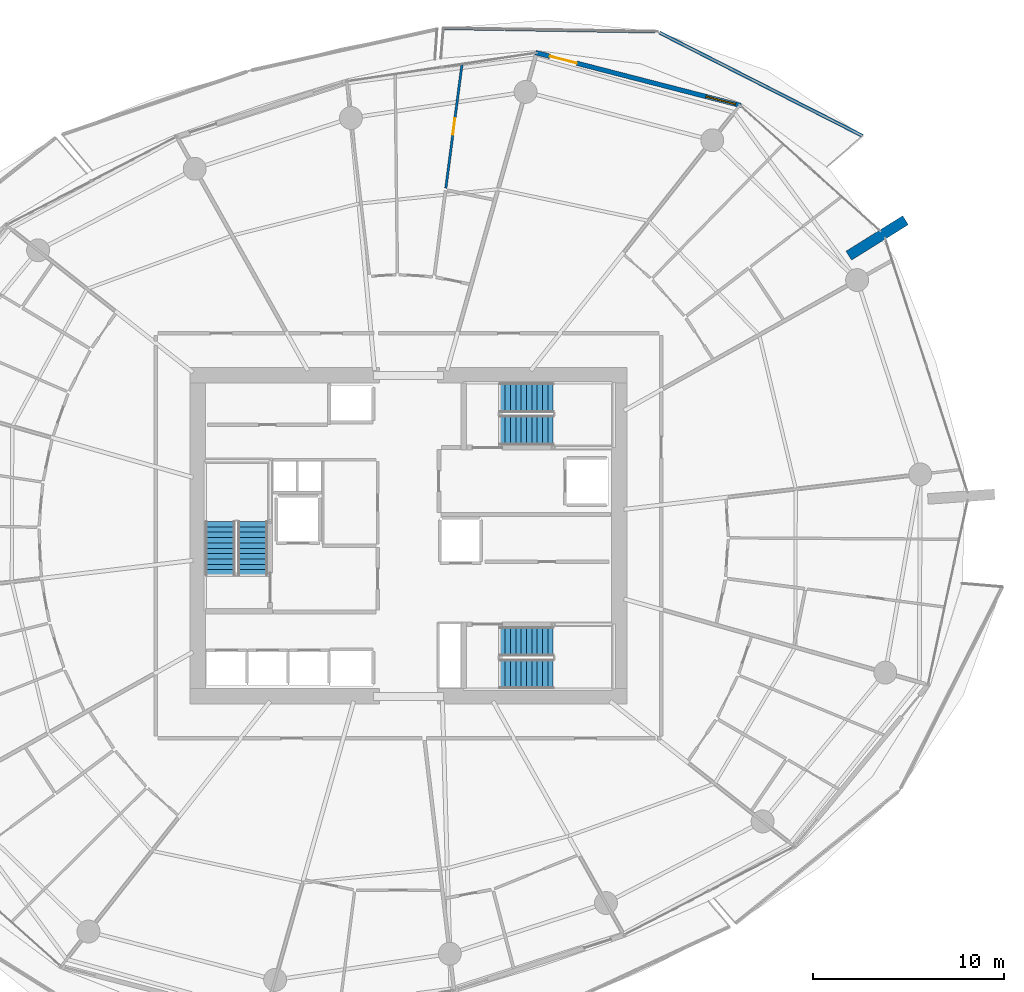
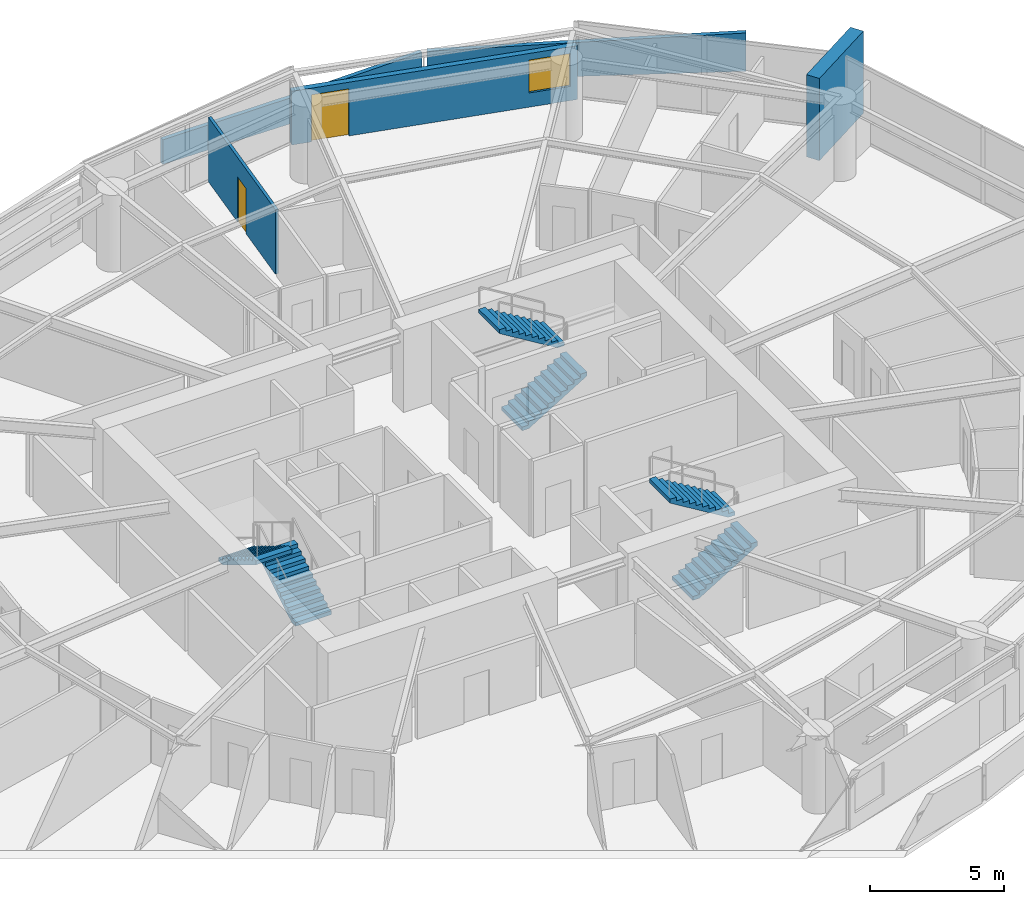
# One storey, part 16 of 23: 6 stair flights, 5 walls, 2 doors, 1 window, 3 openings, 3 elements without a shape of their own.
"""IFC4 building model written with IfcOpenShell, lengths in metres."""

from ifc_helpers import new_model, si_unit, direction, frame, frame_2d, origin, place, context, subcontext, project, spatial, polyline, rectangle, outline, extrude, material, layer, layer_set, type_object, element, fill, aggregate, save


model = new_model("IFC4")

# Units and contexts
model_context = context("Model", 3, precision=1e-05, world=origin(), true_north=direction((0.0, 1.0)))
body_context = subcontext(model_context, "Body", "Model", "MODEL_VIEW")
ifc_project = project(units=[si_unit("LENGTHUNIT", "METRE"), si_unit("AREAUNIT", "SQUARE_METRE"), si_unit("VOLUMEUNIT", "CUBIC_METRE"), si_unit("PLANEANGLEUNIT", "RADIAN"), si_unit("MASSUNIT", "GRAM", prefix="KILO")], contexts=[model_context])

# Site, building, storey
site_placement = place(None, origin())
site = spatial("IfcSite", under=ifc_project, at=site_placement, CompositionType="ELEMENT")
building_placement = place(site_placement, origin())
building = spatial("IfcBuilding", under=site, at=building_placement, Name="Kazma Halo Residences", CompositionType="ELEMENT")
storey_placement = place(building_placement, frame((0.0, 0.0, 78.89990234375)))
storey = spatial("IfcBuildingStorey", under=building, at=storey_placement, Name="L19", CompositionType="ELEMENT", Elevation=78.89990234375)

# Walls
ifc_material_1 = material(Name="White Concrete C50/60 Balustrade", Category="concrete")
ifc_layer_1 = layer(ifc_material_1, 0.179931640625)
ifc_layer_set_1 = layer_set([ifc_layer_1], Name="White Concrete C50/60 Balustrade")
wall_type_1 = type_object("IfcWallType", Name="WL-BAL-WAVE-180", PredefinedType="PARAPET", material=ifc_layer_set_1)
wall_1_placement = place(storey_placement, frame((72.20068359375, 62.92626953125, 0.0), z_axis=(0.0, 0.0, 1.0), x_axis=(-0.891327308183, 0.453360375074, 0.0)))
element("IfcWall", 1, at=wall_1_placement, inside=storey, type_object=wall_type_1, Name="L19 white wave balustrade wall NE.1", PredefinedType="PARAPET", context=body_context, shape_type="SweptSolid", body=[
    extrude(outline(polyline([(0.0, 0.0), (11.942626953125, 0.0), (11.9423828125, 1.34814453125), (5.97119140625, 1.56201171875), (0.0, 1.7470703125), (0.0, 0.0)])), frame((0.0, 0.08984375, 0.0), z_axis=(0.0, -1.0, 0.0), x_axis=(1.0, 0.0, 0.0)), (0.0, 0.0, 1.0), 0.179931640625),
])
wall_2_placement = place(storey_placement, frame((61.328857421875, 68.39697265625, 0.0), z_axis=(0.0, 0.0, 1.0), x_axis=(-0.999868376908, 0.016224329234, 0.0)))
element("IfcWall", 2, at=wall_2_placement, inside=storey, type_object=wall_type_1, Name="L19 white wave balustrade wall NE.2", PredefinedType="PARAPET", context=body_context, shape_type="SweptSolid", body=[
    extrude(outline(polyline([(0.0, 0.0), (11.0751953125, 0.0), (11.0751953125, 1.1201171875), (5.53759765625, 1.18212890625), (0.0, 1.34814453125), (0.0, 0.0)])), frame((0.0, 0.08984375, 0.0), z_axis=(0.0, -1.0, 0.0), x_axis=(1.0, 0.0, 0.0)), (0.0, 0.0, 1.0), 0.179931640625),
])
ifc_material_2 = material(Name="Pale Concrete C60/75", Category="concrete")
ifc_layer_2 = layer(ifc_material_2, 0.550048828125)
ifc_layer_set_2 = layer_set([ifc_layer_2], Name="Pale Concrete C60/75")
wall_type_2 = type_object("IfcWallType", Name="WL-BLADE-550", PredefinedType="SOLIDWALL", material=ifc_layer_set_2)
wall_3_placement = place(storey_placement, frame((71.468505859375, 56.664794921875, 0.0), z_axis=(0.0, 0.0, 1.0), x_axis=(0.848053161125, 0.529911158502, 0.0)))
element("IfcWall", 3, at=wall_3_placement, inside=storey, type_object=wall_type_2, Name="L19 pale concrete structural blade fin wall BW-01", PredefinedType="SOLIDWALL", context=body_context, shape_type="SweptSolid", body=[
    extrude(rectangle(XDim=3.5, YDim=0.550048828125, at=frame_2d((1.75, 0.0))), origin(), (0.0, 0.0, 1.0), 3.75),
])

# Wall, openings, door, window
ifc_material_3 = material(Name="Insulated Pale-Metal Composite Wall")
ifc_layer_3 = layer(ifc_material_3, 0.239990234375)
ifc_layer_set_3 = layer_set([ifc_layer_3], Name="Insulated Pale-Metal Composite Wall")
wall_type_3 = type_object("IfcWallType", Name="WL-EXT-HOST-240", PredefinedType="SOLIDWALL", material=ifc_layer_set_3)
wall_4_placement = place(storey_placement, frame((65.81396484375, 64.52294921875, 0.0), z_axis=(0.0, 0.0, 1.0), x_axis=(-0.968356180858, 0.249572248045, 0.0)))
wall_4 = element("IfcWall", 4, at=wall_4_placement, inside=storey, type_object=wall_type_3, Name="L19 exterior terrace-access wall B02", PredefinedType="SOLIDWALL", context=body_context, shape_type="SweptSolid", body=[
    extrude(rectangle(XDim=11.08447265625, YDim=0.239990234375, at=frame_2d((5.542236328125, 0.0))), origin(), (0.0, 0.0, 1.0), 2.4501953125),
])
opening_1_placement = place(wall_4_placement, frame((8.864501953125, 0.0, 0.0)))
opening_1 = element("IfcOpeningElement", 5, at=opening_1_placement, cuts=wall_4, Name="Opening DTR-1600", PredefinedType="OPENING", context=body_context, shape_type="SweptSolid", body=[
    extrude(rectangle(XDim=1.449951171875, YDim=2.14990234375, at=frame_2d((0.72509765625, 1.074951171875))), frame((0.0, 0.1298828125, 0.0), z_axis=(0.0, -1.0, 0.0), x_axis=(1.0, 0.0, 0.0)), (0.0, 0.0, 1.0), 0.260009765625),
])
opening_2_placement = place(wall_4_placement, frame((0.280029296875, 0.0, 0.64990234375)))
opening_2 = element("IfcOpeningElement", 6, at=opening_2_placement, cuts=wall_4, Name="Opening W-1800", PredefinedType="OPENING", context=body_context, shape_type="SweptSolid", body=[
    extrude(rectangle(XDim=1.60009765625, YDim=1.5, at=frame_2d((0.800048828125, 0.75))), frame((0.0, 0.1298828125, 0.0), z_axis=(0.0, -1.0, 0.0), x_axis=(1.0, 0.0, 0.0)), (0.0, 0.0, 1.0), 0.260009765625),
])
ifc_material_4 = material(Name="Aluminium AW-6063 T6 Double-Glazed Terrace Door", Category="aluminium")
door_type_1 = type_object("IfcDoorType", Name="DR-EXT-TERR-1600", OperationType="NOTDEFINED", PredefinedType="DOOR", material=ifc_material_4)
door_1_placement = place(opening_1_placement, origin())
door_1 = element("IfcDoor", 7, at=door_1_placement, inside=storey, type_object=door_type_1, Name="L19 B02 balcony terrace door", OperationType="DOUBLE_DOOR_SLIDING", OverallHeight=2.14990234375, OverallWidth=1.449951171875, PredefinedType="DOOR", context=body_context, shape_type="SweptSolid", body=[
    extrude(rectangle(XDim=1.449951171875, YDim=2.14990234375, at=frame_2d((0.72509765625, 1.074951171875))), frame((0.0, 0.02490234375, 0.0), z_axis=(0.0, -1.0, 0.0), x_axis=(1.0, 0.0, 0.0)), (0.0, 0.0, 1.0), 0.050048828125),
])
fill(opening_1, door_1)
ifc_material_5 = material(Name="Clear Triple-Silver Low-E Glass in Aluminium AW-6063 T6 Frame", Category="aluminium")
window_type = type_object("IfcWindowType", Name="WIN-RES-1800", PartitioningType="DOUBLE_PANEL_VERTICAL", PredefinedType="WINDOW", material=ifc_material_5)
window_placement = place(opening_2_placement, origin())
window = element("IfcWindow", 8, at=window_placement, inside=storey, type_object=window_type, Name="L19 B02 apartment window", OverallHeight=1.5, OverallWidth=1.60009765625, PartitioningType="SINGLE_PANEL", PredefinedType="WINDOW", context=body_context, shape_type="SweptSolid", body=[
    extrude(rectangle(XDim=1.60009765625, YDim=1.5, at=frame_2d((0.800048828125, 0.75))), frame((0.0, 0.030029296875, 0.0), z_axis=(0.0, -1.0, 0.0), x_axis=(1.0, 0.0, 0.0)), (0.0, 0.0, 1.0), 0.06005859375),
])
fill(opening_2, window)

# Wall, opening, door
ifc_material_6 = material(Name="Gypsum Plasterboard Partition")
ifc_layer_4 = layer(ifc_material_6, 0.125)
ifc_layer_set_4 = layer_set([ifc_layer_4], Name="Gypsum Plasterboard Partition")
wall_type_4 = type_object("IfcWallType", Name="WL-PART-125", PredefinedType="PARTITIONING", material=ifc_layer_set_4)
wall_5_placement = place(storey_placement, frame((50.37841796875, 60.194091796875, 0.0), z_axis=(0.0, 0.0, 1.0), x_axis=(0.129622249643, 0.991563448498, 0.0)))
wall_5 = element("IfcWall", 9, at=wall_5_placement, inside=storey, type_object=wall_type_4, Name="L19 Apartment 6 Household Store Room partition wall", PredefinedType="PARTITIONING", context=body_context, shape_type="SweptSolid", body=[
    extrude(rectangle(XDim=6.5263671875, YDim=0.125, at=frame_2d((3.26318359375, 0.0))), origin(), (0.0, 0.0, 1.0), 2.940185546875),
])
opening_3_placement = place(wall_5_placement, frame((2.838134765625, 0.0, 0.0)))
opening_3 = element("IfcOpeningElement", 10, at=opening_3_placement, cuts=wall_5, Name="Opening DB-900", PredefinedType="OPENING", context=body_context, shape_type="SweptSolid", body=[
    extrude(rectangle(XDim=0.85009765625, YDim=2.06005859375, at=frame_2d((0.425048828125, 1.030029296875))), frame((0.0, 0.072509765625, 0.0), z_axis=(0.0, -1.0, 0.0), x_axis=(1.0, 0.0, 0.0)), (0.0, 0.0, 1.0), 0.14501953125),
])
ifc_material_7 = material(Name="Moisture-Sealed Timber Leaf", Category="wood")
door_type_2 = type_object("IfcDoorType", Name="DR-BTH-900", OperationType="NOTDEFINED", PredefinedType="DOOR", material=ifc_material_7)
door_2_placement = place(opening_3_placement, origin())
door_2 = element("IfcDoor", 11, at=door_2_placement, inside=storey, type_object=door_type_2, Name="L19 Apartment 6 Household Store Room door", OperationType="SINGLE_SWING_LEFT", OverallHeight=2.06005859375, OverallWidth=0.85009765625, PredefinedType="DOOR", context=body_context, shape_type="SweptSolid", body=[
    extrude(rectangle(XDim=0.85009765625, YDim=2.06005859375, at=frame_2d((0.425048828125, 1.030029296875))), frame((0.0, 0.02490234375, 0.0), z_axis=(0.0, -1.0, 0.0), x_axis=(1.0, 0.0, 0.0)), (0.0, 0.0, 1.0), 0.050048828125),
])
fill(opening_3, door_2)

# Stair, stair flights
ifc_material_8 = material(Name="Concrete C50/60", Category="concrete")
stair_type = type_object("IfcStairType", Name="STR-RES1", PredefinedType="HALF_TURN_STAIR", material=ifc_material_8)
stair_1_placement = place(storey_placement, origin())
stair_1 = element("IfcStair", 12, at=stair_1_placement, inside=storey, type_object=stair_type, Name="L19 Core exit stair ST-01", PredefinedType="HALF_TURN_STAIR")
stair_flight_type = type_object("IfcStairFlightType", Name="STR-RES1-FLT", PredefinedType="STRAIGHT", material=ifc_material_8)
stair_flight_1_placement = place(storey_placement, frame((40.27490234375, 39.949951171875, 0.0), z_axis=(0.0, 0.0, 1.0), x_axis=(0.0, 1.0, 0.0)))
stair_flight_1 = element("IfcStairFlight", 13, at=stair_flight_1_placement, type_object=stair_flight_type, Name="ST-01 flight 1", NumberOfRisers=11, NumberOfTreads=10, PredefinedType="STRAIGHT", RiserHeight=0.170454545, TreadLength=0.28, context=body_context, shape_type="SweptSolid", body=[
    extrude(outline(polyline([(0.0, 0.0), (0.0, 0.17041015625), (0.280029296875, 0.17041015625), (0.280029296875, 0.3408203125), (0.56005859375, 0.3408203125), (0.56005859375, 0.511474609375), (0.840087890625, 0.511474609375), (0.840087890625, 0.681884765625), (1.1201171875, 0.681884765625), (1.1201171875, 0.852294921875), (1.39990234375, 0.852294921875), (1.39990234375, 1.022705078125), (1.679931640625, 1.022705078125), (1.679931640625, 1.193115234375), (1.9599609375, 1.193115234375), (1.9599609375, 1.363525390625), (2.239990234375, 1.363525390625), (2.239990234375, 1.5341796875), (2.52001953125, 1.5341796875), (2.52001953125, 1.70458984375), (2.800048828125, 1.70458984375), (2.800048828125, 1.875), (2.800048828125, 1.529052734375), (0.288330078125, 0.0), (0.0, 0.0)])), frame((0.0, 0.77490234375, 0.0), z_axis=(0.0, -1.0, 0.0), x_axis=(1.0, 0.0, 0.0)), (0.0, 0.0, 1.0), 1.550048828125),
])
stair_flight_2_placement = place(storey_placement, frame((38.574951171875, 42.75, 1.875), z_axis=(0.0, 0.0, 1.0), x_axis=(0.0, -1.0, 0.0)))
stair_flight_2 = element("IfcStairFlight", 14, at=stair_flight_2_placement, type_object=stair_flight_type, Name="ST-01 flight 2", NumberOfRisers=11, NumberOfTreads=10, PredefinedType="STRAIGHT", RiserHeight=0.170454545, TreadLength=0.28, context=body_context, shape_type="SweptSolid", body=[
    extrude(outline(polyline([(0.0, 0.0), (0.0, 0.17041015625), (0.280029296875, 0.17041015625), (0.280029296875, 0.3408203125), (0.56005859375, 0.3408203125), (0.56005859375, 0.511474609375), (0.840087890625, 0.511474609375), (0.840087890625, 0.681884765625), (1.1201171875, 0.681884765625), (1.1201171875, 0.852294921875), (1.39990234375, 0.852294921875), (1.39990234375, 1.022705078125), (1.679931640625, 1.022705078125), (1.679931640625, 1.193115234375), (1.9599609375, 1.193115234375), (1.9599609375, 1.363525390625), (2.239990234375, 1.363525390625), (2.239990234375, 1.5341796875), (2.52001953125, 1.5341796875), (2.52001953125, 1.70458984375), (2.800048828125, 1.70458984375), (2.800048828125, 1.875), (2.800048828125, 1.529052734375), (0.288330078125, 0.0), (0.0, 0.0)])), frame((0.0, 0.77490234375, 0.0), z_axis=(0.0, -1.0, 0.0), x_axis=(1.0, 0.0, 0.0)), (0.0, 0.0, 1.0), 1.550048828125),
])
aggregate(stair_1, [stair_flight_1, stair_flight_2])

stair_2_placement = place(storey_placement, origin())
stair_2 = element("IfcStair", 15, at=stair_2_placement, inside=storey, type_object=stair_type, Name="L19 Core exit stair ST-02", PredefinedType="HALF_TURN_STAIR")
stair_flight_3_placement = place(storey_placement, frame((53.199951171875, 47.52490234375, 0.0), z_axis=(0.0, 0.0, 1.0), x_axis=(1.0, 0.0, 0.0)))
stair_flight_3 = element("IfcStairFlight", 16, at=stair_flight_3_placement, type_object=stair_flight_type, Name="ST-02 flight 1", NumberOfRisers=11, NumberOfTreads=10, PredefinedType="STRAIGHT", RiserHeight=0.170454545, TreadLength=0.28, context=body_context, shape_type="SweptSolid", body=[
    extrude(outline(polyline([(0.0, 0.0), (0.0, 0.17041015625), (0.280029296875, 0.17041015625), (0.280029296875, 0.3408203125), (0.56005859375, 0.3408203125), (0.56005859375, 0.511474609375), (0.840087890625, 0.511474609375), (0.840087890625, 0.681884765625), (1.1201171875, 0.681884765625), (1.1201171875, 0.852294921875), (1.39990234375, 0.852294921875), (1.39990234375, 1.022705078125), (1.679931640625, 1.022705078125), (1.679931640625, 1.193115234375), (1.9599609375, 1.193115234375), (1.9599609375, 1.363525390625), (2.239990234375, 1.363525390625), (2.239990234375, 1.5341796875), (2.52001953125, 1.5341796875), (2.52001953125, 1.70458984375), (2.800048828125, 1.70458984375), (2.800048828125, 1.875), (2.800048828125, 1.529052734375), (0.288330078125, 0.0), (0.0, 0.0)])), frame((0.0, 0.77490234375, 0.0), z_axis=(0.0, -1.0, 0.0), x_axis=(1.0, 0.0, 0.0)), (0.0, 0.0, 1.0), 1.550048828125),
])
stair_flight_4_placement = place(storey_placement, frame((56.0, 49.22509765625, 1.875), z_axis=(0.0, 0.0, 1.0), x_axis=(-1.0, 0.0, 0.0)))
stair_flight_4 = element("IfcStairFlight", 17, at=stair_flight_4_placement, type_object=stair_flight_type, Name="ST-02 flight 2", NumberOfRisers=11, NumberOfTreads=10, PredefinedType="STRAIGHT", RiserHeight=0.170454545, TreadLength=0.28, context=body_context, shape_type="SweptSolid", body=[
    extrude(outline(polyline([(0.0, 0.0), (0.0, 0.17041015625), (0.280029296875, 0.17041015625), (0.280029296875, 0.3408203125), (0.56005859375, 0.3408203125), (0.56005859375, 0.511474609375), (0.840087890625, 0.511474609375), (0.840087890625, 0.681884765625), (1.1201171875, 0.681884765625), (1.1201171875, 0.852294921875), (1.39990234375, 0.852294921875), (1.39990234375, 1.022705078125), (1.679931640625, 1.022705078125), (1.679931640625, 1.193115234375), (1.9599609375, 1.193115234375), (1.9599609375, 1.363525390625), (2.239990234375, 1.363525390625), (2.239990234375, 1.5341796875), (2.52001953125, 1.5341796875), (2.52001953125, 1.70458984375), (2.800048828125, 1.70458984375), (2.800048828125, 1.875), (2.800048828125, 1.529052734375), (0.288330078125, 0.0), (0.0, 0.0)])), frame((0.0, 0.77490234375, 0.0), z_axis=(0.0, -1.0, 0.0), x_axis=(1.0, 0.0, 0.0)), (0.0, 0.0, 1.0), 1.550048828125),
])
aggregate(stair_2, [stair_flight_3, stair_flight_4])

stair_3_placement = place(storey_placement, origin())
stair_3 = element("IfcStair", 18, at=stair_3_placement, inside=storey, type_object=stair_type, Name="L19 Core exit stair ST-03", PredefinedType="HALF_TURN_STAIR")
stair_flight_5_placement = place(storey_placement, frame((53.199951171875, 34.77490234375, 0.0), z_axis=(0.0, 0.0, 1.0), x_axis=(1.0, 0.0, 0.0)))
stair_flight_5 = element("IfcStairFlight", 19, at=stair_flight_5_placement, type_object=stair_flight_type, Name="ST-03 flight 1", NumberOfRisers=11, NumberOfTreads=10, PredefinedType="STRAIGHT", RiserHeight=0.170454545, TreadLength=0.28, context=body_context, shape_type="SweptSolid", body=[
    extrude(outline(polyline([(0.0, 0.0), (0.0, 0.17041015625), (0.280029296875, 0.17041015625), (0.280029296875, 0.3408203125), (0.56005859375, 0.3408203125), (0.56005859375, 0.511474609375), (0.840087890625, 0.511474609375), (0.840087890625, 0.681884765625), (1.1201171875, 0.681884765625), (1.1201171875, 0.852294921875), (1.39990234375, 0.852294921875), (1.39990234375, 1.022705078125), (1.679931640625, 1.022705078125), (1.679931640625, 1.193115234375), (1.9599609375, 1.193115234375), (1.9599609375, 1.363525390625), (2.239990234375, 1.363525390625), (2.239990234375, 1.5341796875), (2.52001953125, 1.5341796875), (2.52001953125, 1.70458984375), (2.800048828125, 1.70458984375), (2.800048828125, 1.875), (2.800048828125, 1.529052734375), (0.288330078125, 0.0), (0.0, 0.0)])), frame((0.0, 0.77490234375, 0.0), z_axis=(0.0, -1.0, 0.0), x_axis=(1.0, 0.0, 0.0)), (0.0, 0.0, 1.0), 1.550048828125),
])
stair_flight_6_placement = place(storey_placement, frame((56.0, 36.47509765625, 1.875), z_axis=(0.0, 0.0, 1.0), x_axis=(-1.0, 0.0, 0.0)))
stair_flight_6 = element("IfcStairFlight", 20, at=stair_flight_6_placement, type_object=stair_flight_type, Name="ST-03 flight 2", NumberOfRisers=11, NumberOfTreads=10, PredefinedType="STRAIGHT", RiserHeight=0.170454545, TreadLength=0.28, context=body_context, shape_type="SweptSolid", body=[
    extrude(outline(polyline([(0.0, 0.0), (0.0, 0.17041015625), (0.280029296875, 0.17041015625), (0.280029296875, 0.3408203125), (0.56005859375, 0.3408203125), (0.56005859375, 0.511474609375), (0.840087890625, 0.511474609375), (0.840087890625, 0.681884765625), (1.1201171875, 0.681884765625), (1.1201171875, 0.852294921875), (1.39990234375, 0.852294921875), (1.39990234375, 1.022705078125), (1.679931640625, 1.022705078125), (1.679931640625, 1.193115234375), (1.9599609375, 1.193115234375), (1.9599609375, 1.363525390625), (2.239990234375, 1.363525390625), (2.239990234375, 1.5341796875), (2.52001953125, 1.5341796875), (2.52001953125, 1.70458984375), (2.800048828125, 1.70458984375), (2.800048828125, 1.875), (2.800048828125, 1.529052734375), (0.288330078125, 0.0), (0.0, 0.0)])), frame((0.0, 0.77490234375, 0.0), z_axis=(0.0, -1.0, 0.0), x_axis=(1.0, 0.0, 0.0)), (0.0, 0.0, 1.0), 1.550048828125),
])
aggregate(stair_3, [stair_flight_5, stair_flight_6])

save(model, "model.ifc")
